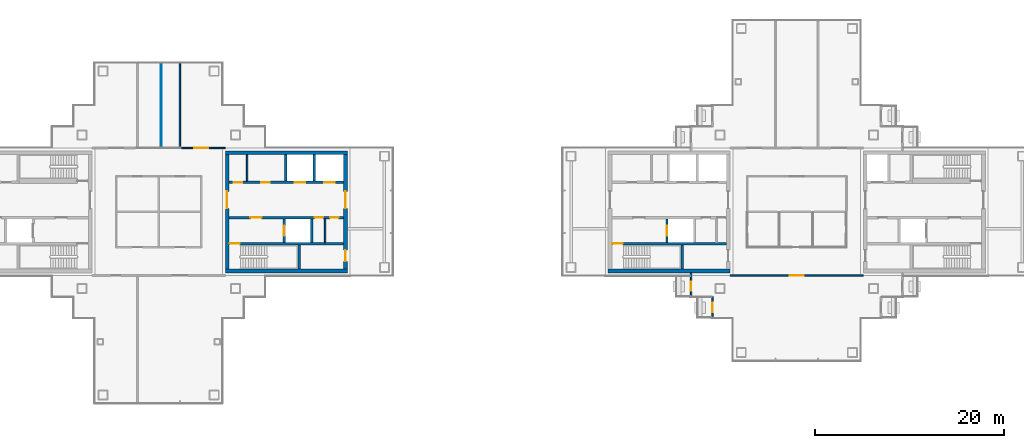
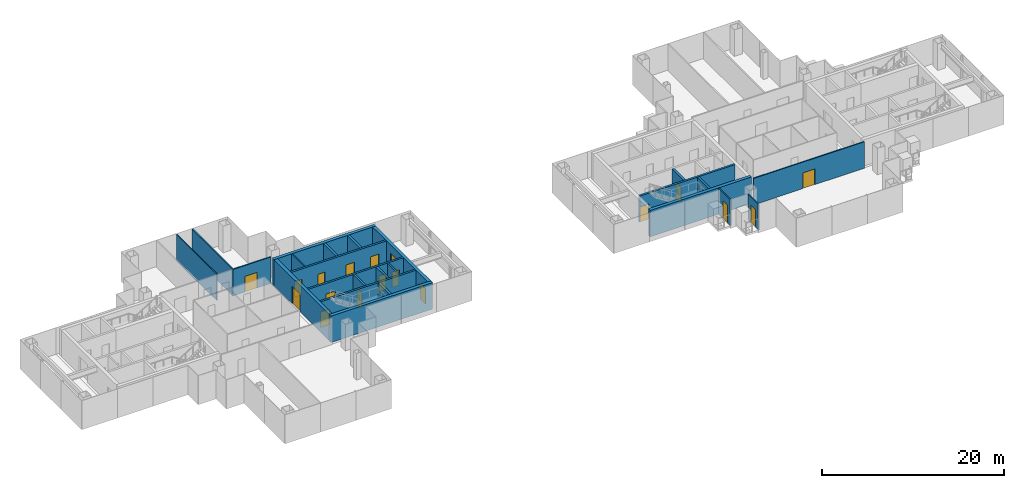
# One storey, part 10 of 16: 24 walls, 18 doors, 18 openings.
"""IFC4 building model written with IfcOpenShell, lengths in metres."""

from ifc_helpers import new_model, si_unit, direction, frame, frame_2d, origin, place, context, subcontext, project, spatial, rectangle, extrude, material, layer, layer_set, type_object, element, fill, save


model = new_model("IFC4")

# Units and contexts
model_context = context("Model", 3, precision=1e-05, world=origin(), true_north=direction((0.0, 1.0)))
body_context = subcontext(model_context, "Body", "Model", "MODEL_VIEW")
ifc_project = project(units=[si_unit("LENGTHUNIT", "METRE"), si_unit("AREAUNIT", "SQUARE_METRE"), si_unit("VOLUMEUNIT", "CUBIC_METRE"), si_unit("PLANEANGLEUNIT", "RADIAN"), si_unit("MASSUNIT", "GRAM", prefix="KILO")], contexts=[model_context])

# Site, building, storey
site_placement = place(None, origin())
site = spatial("IfcSite", under=ifc_project, at=site_placement, CompositionType="ELEMENT")
building_placement = place(site_placement, origin())
building = spatial("IfcBuilding", under=site, at=building_placement, Name="Shamsa Quay Exchange Towers", CompositionType="ELEMENT")
storey_placement = place(building_placement, frame((0.0, 0.0, 190.5)))
storey = spatial("IfcBuildingStorey", under=building, at=storey_placement, Name="L45", CompositionType="ELEMENT", Elevation=190.5)

# Wall, opening, door
ifc_material_1 = material(Name="Aluminium EN AW-6063 T6, black anodised, with black enamelled glass infill", Category="aluminium")
ifc_layer_1 = layer(ifc_material_1, 0.14990234375)
ifc_layer_set_1 = layer_set([ifc_layer_1], Name="BALCONY DOOR BAY WALL 150")
wall_type_1 = type_object("IfcWallType", Name="BALCONY DOOR BAY WALL 150", PredefinedType="SOLIDWALL", material=ifc_layer_set_1)
wall_1_placement = place(storey_placement, frame((22.574951171875, -9.0, 0.0), z_axis=(0.0, 0.0, 1.0), x_axis=(0.0, 1.0, 0.0)))
wall_1 = element("IfcWall", 1, at=wall_1_placement, inside=storey, type_object=wall_type_1, Name="Door bay T2-PKWN L45", PredefinedType="SOLIDWALL", context=body_context, shape_type="SweptSolid", body=[
    extrude(rectangle(XDim=2.556884765625, YDim=0.14990234375, at=frame_2d((1.2783203125, 0.0))), origin(), (0.0, 0.0, 1.0), 3.449951171875),
])
opening_1_placement = place(wall_1_placement, frame((0.625, 0.0, 0.0)))
opening_1 = element("IfcOpeningElement", 2, at=opening_1_placement, cuts=wall_1, Name="Opening XD293", PredefinedType="OPENING", context=body_context, shape_type="SweptSolid", body=[
    extrude(rectangle(XDim=1.0, YDim=2.39990234375, at=frame_2d((0.5, 1.199951171875))), frame((0.0, 0.0849609375, 0.0), z_axis=(0.0, -1.0, 0.0), x_axis=(1.0, 0.0, 0.0)), (0.0, 0.0, 1.0), 0.169921875),
])
ifc_material_2 = material(Name="Aluminium EN AW-6063 T6, black anodised, with laminated glass leaf", Category="aluminium")
door_type_1 = type_object("IfcDoorType", Name="BALCONY DOOR 1000x2400", OperationType="SINGLE_SWING_LEFT", PredefinedType="DOOR", material=ifc_material_2)
door_1_placement = place(opening_1_placement, origin())
door_1 = element("IfcDoor", 3, at=door_1_placement, inside=storey, type_object=door_type_1, Name="Balcony door T2-PKWN L45", OperationType="SINGLE_SWING_LEFT", OverallHeight=2.39990234375, OverallWidth=1.0, PredefinedType="DOOR", context=body_context, shape_type="SweptSolid", body=[
    extrude(rectangle(XDim=1.0, YDim=2.39990234375, at=frame_2d((0.5, 1.199951171875))), frame((0.0, 0.02490234375, 0.0), z_axis=(0.0, -1.0, 0.0), x_axis=(1.0, 0.0, 0.0)), (0.0, 0.0, 1.0), 0.050048828125),
])
fill(opening_1, door_1)

wall_2_placement = place(storey_placement, frame((24.824951171875, -11.25, 0.0), z_axis=(0.0, 0.0, 1.0), x_axis=(0.0, 1.0, 0.0)))
wall_2 = element("IfcWall", 4, at=wall_2_placement, inside=storey, type_object=wall_type_1, Name="Door bay T2-PKWN L45", PredefinedType="SOLIDWALL", context=body_context, shape_type="SweptSolid", body=[
    extrude(rectangle(XDim=2.25, YDim=0.14990234375, at=frame_2d((1.125, 0.0))), origin(), (0.0, 0.0, 1.0), 3.449951171875),
])
opening_2_placement = place(wall_2_placement, frame((0.625, 0.0, 0.0)))
opening_2 = element("IfcOpeningElement", 5, at=opening_2_placement, cuts=wall_2, Name="Opening XD294", PredefinedType="OPENING", context=body_context, shape_type="SweptSolid", body=[
    extrude(rectangle(XDim=1.0, YDim=2.39990234375, at=frame_2d((0.5, 1.199951171875))), frame((0.0, 0.0849609375, 0.0), z_axis=(0.0, -1.0, 0.0), x_axis=(1.0, 0.0, 0.0)), (0.0, 0.0, 1.0), 0.169921875),
])
door_2_placement = place(opening_2_placement, origin())
door_2 = element("IfcDoor", 6, at=door_2_placement, inside=storey, type_object=door_type_1, Name="Balcony door T2-PKWN L45", OperationType="SINGLE_SWING_RIGHT", OverallHeight=2.39990234375, OverallWidth=1.0, PredefinedType="DOOR", context=body_context, shape_type="SweptSolid", body=[
    extrude(rectangle(XDim=1.0, YDim=2.39990234375, at=frame_2d((0.5, 1.199951171875))), frame((0.0, 0.02490234375, 0.0), z_axis=(0.0, -1.0, 0.0), x_axis=(1.0, 0.0, 0.0)), (0.0, 0.0, 1.0), 0.050048828125),
])
fill(opening_2, door_2)

# Walls
ifc_material_3 = material(Name="Concrete C60/75", Category="concrete")
ifc_layer_2 = layer(ifc_material_3, 0.39990234375)
ifc_layer_set_2 = layer_set([ifc_layer_2], Name="CORE WALL 400 C60/75")
wall_type_2 = type_object("IfcWallType", Name="CORE WALL 400 C60/75", PredefinedType="SHEAR", material=ifc_layer_set_2)
for number, where, name in (
    (7, (-26.699951171875, -6.25, 0.0), "Core wall T1A-R20-PS"),
    (8, (-26.699951171875, 6.25, 0.0), "Core wall T1A-R20-PN"),
):
    element("IfcWall", number, at=place(storey_placement, frame(where)), inside=storey, type_object=wall_type_2, Name=name, PredefinedType="SHEAR", context=body_context, shape_type="SweptSolid", body=[
        extrude(rectangle(XDim=12.89990234375, YDim=0.39990234375, at=frame_2d((6.449951171875, 0.0))), origin(), (0.0, 0.0, 1.0), 3.550048828125),
    ])

# Wall, opening, door
wall_3_placement = place(storey_placement, frame((-26.5, 6.050048828125, 0.0), z_axis=(0.0, 0.0, 1.0), x_axis=(0.0, -1.0, 0.0)))
wall_3 = element("IfcWall", 9, at=wall_3_placement, inside=storey, type_object=wall_type_2, Name="Core wall T1A-R20-PF", PredefinedType="SHEAR", context=body_context, shape_type="SweptSolid", body=[
    extrude(rectangle(XDim=12.10009765625, YDim=0.39990234375, at=frame_2d((6.050048828125, 0.0))), origin(), (0.0, 0.0, 1.0), 3.550048828125),
])
opening_3_placement = place(wall_3_placement, frame((3.89990234375, 0.0, 0.0)))
opening_3 = element("IfcOpeningElement", 10, at=opening_3_placement, cuts=wall_3, Name="Opening T1A-R20-LBD01", PredefinedType="OPENING", context=body_context, shape_type="SweptSolid", body=[
    extrude(rectangle(XDim=1.800048828125, YDim=2.39990234375, at=frame_2d((0.89990234375, 1.199951171875))), frame((0.0, 0.2099609375, 0.0), z_axis=(0.0, -1.0, 0.0), x_axis=(1.0, 0.0, 0.0)), (0.0, 0.0, 1.0), 0.419921875),
])
ifc_material_4 = material(Name="Steel, fire rated", Category="steel")
door_type_2 = type_object("IfcDoorType", Name="LIFT LOBBY DOOR PAIR 1800", OperationType="DOUBLE_DOOR_SINGLE_SWING", PredefinedType="DOOR", material=ifc_material_4)
door_3_placement = place(opening_3_placement, origin())
door_3 = element("IfcDoor", 11, at=door_3_placement, inside=storey, type_object=door_type_2, Name="T1A-R20-LBD01", OperationType="DOUBLE_DOOR_SINGLE_SWING", OverallHeight=2.39990234375, OverallWidth=1.800048828125, PredefinedType="DOOR", context=body_context, shape_type="SweptSolid", body=[
    extrude(rectangle(XDim=1.800048828125, YDim=2.39990234375, at=frame_2d((0.89990234375, 1.199951171875))), frame((0.0, 0.02490234375, 0.0), z_axis=(0.0, -1.0, 0.0), x_axis=(1.0, 0.0, 0.0)), (0.0, 0.0, 1.0), 0.050048828125),
])
fill(opening_3, door_3)

# Wall, openings, doors
wall_4_placement = place(storey_placement, frame((-14.0, 6.050048828125, 0.0), z_axis=(0.0, 0.0, 1.0), x_axis=(0.0, -1.0, 0.0)))
wall_4 = element("IfcWall", 12, at=wall_4_placement, inside=storey, type_object=wall_type_2, Name="Core wall T1A-R20-PB", PredefinedType="SHEAR", context=body_context, shape_type="SweptSolid", body=[
    extrude(rectangle(XDim=12.10009765625, YDim=0.39990234375, at=frame_2d((6.050048828125, 0.0))), origin(), (0.0, 0.0, 1.0), 3.550048828125),
])
opening_4_placement = place(wall_4_placement, frame((10.10009765625, 0.0, 0.0)))
opening_4 = element("IfcOpeningElement", 13, at=opening_4_placement, cuts=wall_4, Name="Opening T1A-R20-RD02", PredefinedType="OPENING", context=body_context, shape_type="SweptSolid", body=[
    extrude(rectangle(XDim=1.199951171875, YDim=2.10009765625, at=frame_2d((0.60009765625, 1.050048828125))), frame((0.0, 0.2099609375, 0.0), z_axis=(0.0, -1.0, 0.0), x_axis=(1.0, 0.0, 0.0)), (0.0, 0.0, 1.0), 0.419921875),
])
opening_5_placement = place(wall_4_placement, frame((3.89990234375, 0.0, 0.0)))
opening_5 = element("IfcOpeningElement", 14, at=opening_5_placement, cuts=wall_4, Name="Opening T1A-R20-LBD03", PredefinedType="OPENING", context=body_context, shape_type="SweptSolid", body=[
    extrude(rectangle(XDim=1.800048828125, YDim=2.39990234375, at=frame_2d((0.89990234375, 1.199951171875))), frame((0.0, 0.2099609375, 0.0), z_axis=(0.0, -1.0, 0.0), x_axis=(1.0, 0.0, 0.0)), (0.0, 0.0, 1.0), 0.419921875),
])
door_4_placement = place(opening_5_placement, origin())
door_4 = element("IfcDoor", 15, at=door_4_placement, inside=storey, type_object=door_type_2, Name="T1A-R20-LBD03", OperationType="DOUBLE_DOOR_SINGLE_SWING", OverallHeight=2.39990234375, OverallWidth=1.800048828125, PredefinedType="DOOR", context=body_context, shape_type="SweptSolid", body=[
    extrude(rectangle(XDim=1.800048828125, YDim=2.39990234375, at=frame_2d((0.89990234375, 1.199951171875))), frame((0.0, 0.02490234375, 0.0), z_axis=(0.0, -1.0, 0.0), x_axis=(1.0, 0.0, 0.0)), (0.0, 0.0, 1.0), 0.050048828125),
])
fill(opening_5, door_4)
door_type_3 = type_object("IfcDoorType", Name="RISER ACCESS DOOR 1200", OperationType="SINGLE_SWING_LEFT", PredefinedType="DOOR", material=ifc_material_4)
door_5_placement = place(opening_4_placement, origin())
door_5 = element("IfcDoor", 16, at=door_5_placement, inside=storey, type_object=door_type_3, Name="T1A-R20-RD02", OperationType="SINGLE_SWING_RIGHT", OverallHeight=2.10009765625, OverallWidth=1.199951171875, PredefinedType="DOOR", context=body_context, shape_type="SweptSolid", body=[
    extrude(rectangle(XDim=1.199951171875, YDim=2.10009765625, at=frame_2d((0.60009765625, 1.050048828125))), frame((0.0, 0.02490234375, 0.0), z_axis=(0.0, -1.0, 0.0), x_axis=(1.0, 0.0, 0.0)), (0.0, 0.0, 1.0), 0.050048828125),
])
fill(opening_4, door_5)

# Walls
wall_5_placement = place(storey_placement, frame((13.800048828125, -6.25, 0.0)))
element("IfcWall", 17, at=wall_5_placement, inside=storey, type_object=wall_type_2, Name="Core wall T2A-R20-PS", PredefinedType="SHEAR", context=body_context, shape_type="SweptSolid", body=[
    extrude(rectangle(XDim=12.89990234375, YDim=0.39990234375, at=frame_2d((6.449951171875, 0.0))), origin(), (0.0, 0.0, 1.0), 3.550048828125),
])
ifc_material_5 = material(Name="Gypsum board on steel studs, EI 60", Category="steel")
ifc_layer_3 = layer(ifc_material_5, 0.14990234375)
ifc_layer_set_3 = layer_set([ifc_layer_3], Name="FIRE PARTITION 150")
wall_type_3 = type_object("IfcWallType", Name="FIRE PARTITION 150", PredefinedType="PARTITIONING", material=ifc_layer_set_3)
wall_6_placement = place(storey_placement, frame((-16.14990234375, -3.25, 0.0), z_axis=(0.0, 0.0, 1.0), x_axis=(0.0, 1.0, 0.0)))
element("IfcWall", 18, at=wall_6_placement, inside=storey, type_object=wall_type_3, Name="Partition T1A-R20-EC0", PredefinedType="PARTITIONING", context=body_context, shape_type="SweptSolid", body=[
    extrude(rectangle(XDim=2.5, YDim=0.14990234375, at=frame_2d((1.25, 0.0))), origin(), (0.0, 0.0, 1.0), 3.550048828125),
])
wall_7_placement = place(storey_placement, frame((-24.39990234375, 3.25, 0.0), z_axis=(0.0, 0.0, 1.0), x_axis=(0.0, 1.0, 0.0)))
element("IfcWall", 19, at=wall_7_placement, inside=storey, type_object=wall_type_3, Name="Partition T1A-R20-FC0", PredefinedType="PARTITIONING", context=body_context, shape_type="SweptSolid", body=[
    extrude(rectangle(XDim=2.800048828125, YDim=0.14990234375, at=frame_2d((1.39990234375, 0.0))), origin(), (0.0, 0.0, 1.0), 3.550048828125),
])
ifc_material_6 = material(Name="Gypsum board partition on metal studs")
ifc_layer_4 = layer(ifc_material_6, 0.10009765625)
ifc_layer_set_4 = layer_set([ifc_layer_4], Name="Partition 100 mm NOT RATED")
wall_type_4 = type_object("IfcWallType", Name="Partition 100 mm NOT RATED", PredefinedType="PARTITIONING", material=ifc_layer_set_4)
wall_8_placement = place(storey_placement, frame((-33.5, 6.800048828125, 0.0), z_axis=(0.0, 0.0, 1.0), x_axis=(0.0, 1.0, 0.0)))
element("IfcWall", 20, at=wall_8_placement, inside=storey, type_object=wall_type_4, Name="Partition T1-R20-W13", PredefinedType="PARTITIONING", context=body_context, shape_type="SweptSolid", body=[
    extrude(rectangle(XDim=8.85498046875, YDim=0.10009765625, at=frame_2d((4.427490234375, 0.0))), origin(), (0.0, 0.0, 1.0), 3.550048828125),
])

# Wall, opening, door
ifc_layer_5 = layer(ifc_material_6, 0.14990234375)
ifc_layer_set_5 = layer_set([ifc_layer_5], Name="Partition 150 mm EI 60")
wall_type_5 = type_object("IfcWallType", Name="Partition 150 mm EI 60", PredefinedType="PARTITIONING", material=ifc_layer_set_5)
wall_9_placement = place(storey_placement, frame((-31.574951171875, 6.75, 0.0)))
wall_9 = element("IfcWall", 21, at=wall_9_placement, inside=storey, type_object=wall_type_5, Name="Partition T1-R20-W06", PredefinedType="PARTITIONING", context=body_context, shape_type="SweptSolid", body=[
    extrude(rectangle(XDim=4.875, YDim=0.14990234375, at=frame_2d((2.4375, 0.0))), origin(), (0.0, 0.0, 1.0), 3.550048828125),
])
opening_6_placement = place(wall_9_placement, frame((1.574951171875, 0.0, 0.0)))
opening_6 = element("IfcOpeningElement", 22, at=opening_6_placement, cuts=wall_9, Name="Opening T1-R20-D06", PredefinedType="OPENING", context=body_context, shape_type="SweptSolid", body=[
    extrude(rectangle(XDim=1.5, YDim=2.10009765625, at=frame_2d((0.75, 1.050048828125))), frame((0.0, 0.0849609375, 0.0), z_axis=(0.0, -1.0, 0.0), x_axis=(1.0, 0.0, 0.0)), (0.0, 0.0, 1.0), 0.169921875),
])
ifc_material_7 = material(Name="Timber door leaf in a metal frame", Category="wood")
door_type_4 = type_object("IfcDoorType", Name="Door 1500x2100 FD30S pair", OperationType="NOTDEFINED", PredefinedType="DOOR", material=ifc_material_7)
door_6_placement = place(opening_6_placement, origin())
door_6 = element("IfcDoor", 23, at=door_6_placement, inside=storey, type_object=door_type_4, Name="Door T1-R20-D06", OperationType="DOUBLE_DOOR_SINGLE_SWING", OverallHeight=2.10009765625, OverallWidth=1.5, PredefinedType="DOOR", context=body_context, shape_type="SweptSolid", body=[
    extrude(rectangle(XDim=1.5, YDim=2.10009765625, at=frame_2d((0.75, 1.050048828125))), frame((0.0, 0.02490234375, 0.0), z_axis=(0.0, -1.0, 0.0), x_axis=(1.0, 0.0, 0.0)), (0.0, 0.0, 1.0), 0.050048828125),
])
fill(opening_6, door_6)

# Wall
wall_10_placement = place(storey_placement, frame((-31.5, 6.824951171875, 0.0), z_axis=(0.0, 0.0, 1.0), x_axis=(0.0, 1.0, 0.0)))
element("IfcWall", 24, at=wall_10_placement, inside=storey, type_object=wall_type_5, Name="Partition T1-R20-W14", PredefinedType="PARTITIONING", context=body_context, shape_type="SweptSolid", body=[
    extrude(rectangle(XDim=8.830078125, YDim=0.14990234375, at=frame_2d((4.4150390625, 0.0))), origin(), (0.0, 0.0, 1.0), 3.550048828125),
])

# Wall, opening, door
wall_11_placement = place(storey_placement, frame((40.800048828125, -6.75, 0.0), z_axis=(0.0, 0.0, 1.0), x_axis=(-1.0, 0.0, 0.0)))
wall_11 = element("IfcWall", 25, at=wall_11_placement, inside=storey, type_object=wall_type_5, Name="Partition T2-R20-W08", PredefinedType="PARTITIONING", context=body_context, shape_type="SweptSolid", body=[
    extrude(rectangle(XDim=14.10009765625, YDim=0.14990234375, at=frame_2d((7.050048828125, 0.0))), origin(), (0.0, 0.0, 1.0), 3.550048828125),
])
opening_7_placement = place(wall_11_placement, frame((6.300048828125, 0.0, 0.0)))
opening_7 = element("IfcOpeningElement", 26, at=opening_7_placement, cuts=wall_11, Name="Opening T2-R20-D08", PredefinedType="OPENING", context=body_context, shape_type="SweptSolid", body=[
    extrude(rectangle(XDim=1.5, YDim=2.10009765625, at=frame_2d((0.75, 1.050048828125))), frame((0.0, 0.0849609375, 0.0), z_axis=(0.0, -1.0, 0.0), x_axis=(1.0, 0.0, 0.0)), (0.0, 0.0, 1.0), 0.169921875),
])
door_7_placement = place(opening_7_placement, origin())
door_7 = element("IfcDoor", 27, at=door_7_placement, inside=storey, type_object=door_type_4, Name="Door T2-R20-D08", OperationType="DOUBLE_DOOR_SINGLE_SWING", OverallHeight=2.10009765625, OverallWidth=1.5, PredefinedType="DOOR", context=body_context, shape_type="SweptSolid", body=[
    extrude(rectangle(XDim=1.5, YDim=2.10009765625, at=frame_2d((0.75, 1.050048828125))), frame((0.0, 0.02490234375, 0.0), z_axis=(0.0, -1.0, 0.0), x_axis=(1.0, 0.0, 0.0)), (0.0, 0.0, 1.0), 0.050048828125),
])
fill(opening_7, door_7)

ifc_material_8 = material(Name="Concrete C50/60", Category="concrete")
ifc_layer_6 = layer(ifc_material_8, 0.25)
ifc_layer_set_6 = layer_set([ifc_layer_6], Name="SHAFT WALL 250 C50/60")
wall_type_6 = type_object("IfcWallType", Name="SHAFT WALL 250 C50/60", PredefinedType="SHEAR", material=ifc_layer_set_6)
wall_12_placement = place(storey_placement, frame((-14.199951171875, -3.375, 0.0), z_axis=(0.0, 0.0, 1.0), x_axis=(-1.0, 0.0, 0.0)))
wall_12 = element("IfcWall", 28, at=wall_12_placement, inside=storey, type_object=wall_type_6, Name="Shaft wall T1A-R20-STL", PredefinedType="SHEAR", context=body_context, shape_type="SweptSolid", body=[
    extrude(rectangle(XDim=12.10009765625, YDim=0.25, at=frame_2d((6.050048828125, 0.0))), origin(), (0.0, 0.0, 1.0), 3.550048828125),
])
opening_8_placement = place(wall_12_placement, frame((10.949951171875, 0.0, 0.0)))
opening_8 = element("IfcOpeningElement", 29, at=opening_8_placement, cuts=wall_12, Name="Opening T1A-R20-SD04", PredefinedType="OPENING", context=body_context, shape_type="SweptSolid", body=[
    extrude(rectangle(XDim=1.10009765625, YDim=2.10009765625, at=frame_2d((0.550048828125, 1.050048828125))), frame((0.0, 0.135009765625, 0.0), z_axis=(0.0, -1.0, 0.0), x_axis=(1.0, 0.0, 0.0)), (0.0, 0.0, 1.0), 0.27001953125),
])
door_type_5 = type_object("IfcDoorType", Name="STAIR DOOR 1100", OperationType="SINGLE_SWING_LEFT", PredefinedType="DOOR", material=ifc_material_4)
door_8_placement = place(opening_8_placement, origin())
door_8 = element("IfcDoor", 30, at=door_8_placement, inside=storey, type_object=door_type_5, Name="T1A-R20-SD04", OperationType="SINGLE_SWING_RIGHT", OverallHeight=2.10009765625, OverallWidth=1.10009765625, PredefinedType="DOOR", context=body_context, shape_type="SweptSolid", body=[
    extrude(rectangle(XDim=1.10009765625, YDim=2.10009765625, at=frame_2d((0.550048828125, 1.050048828125))), frame((0.0, 0.02490234375, 0.0), z_axis=(0.0, -1.0, 0.0), x_axis=(1.0, 0.0, 0.0)), (0.0, 0.0, 1.0), 0.050048828125),
])
fill(opening_8, door_8)

# Wall
wall_13_placement = place(storey_placement, frame((-18.875, -6.050048828125, 0.0), z_axis=(0.0, 0.0, 1.0), x_axis=(0.0, 1.0, 0.0)))
element("IfcWall", 31, at=wall_13_placement, inside=storey, type_object=wall_type_6, Name="Shaft wall T1A-R20-STF", PredefinedType="SHEAR", context=body_context, shape_type="SweptSolid", body=[
    extrude(rectangle(XDim=2.550048828125, YDim=0.25, at=frame_2d((1.27490234375, 0.0))), origin(), (0.0, 0.0, 1.0), 3.550048828125),
])

# Wall, openings, doors
wall_14_placement = place(storey_placement, frame((-14.199951171875, -0.625, 0.0), z_axis=(0.0, 0.0, 1.0), x_axis=(-1.0, 0.0, 0.0)))
wall_14 = element("IfcWall", 32, at=wall_14_placement, inside=storey, type_object=wall_type_6, Name="Shaft wall T1A-R20-B", PredefinedType="SHEAR", context=body_context, shape_type="SweptSolid", body=[
    extrude(rectangle(XDim=12.10009765625, YDim=0.25, at=frame_2d((6.050048828125, 0.0))), origin(), (0.0, 0.0, 1.0), 3.550048828125),
])
opening_9_placement = place(wall_14_placement, frame((8.64990234375, 0.0, 0.0)))
opening_9 = element("IfcOpeningElement", 33, at=opening_9_placement, cuts=wall_14, Name="Opening T1A-R20-FD05", PredefinedType="OPENING", context=body_context, shape_type="SweptSolid", body=[
    extrude(rectangle(XDim=1.199951171875, YDim=2.10009765625, at=frame_2d((0.60009765625, 1.050048828125))), frame((0.0, 0.135009765625, 0.0), z_axis=(0.0, -1.0, 0.0), x_axis=(1.0, 0.0, 0.0)), (0.0, 0.0, 1.0), 0.27001953125),
])
opening_10_placement = place(wall_14_placement, frame((2.14990234375, 0.0, 0.0)))
opening_10 = element("IfcOpeningElement", 34, at=opening_10_placement, cuts=wall_14, Name="Opening T1A-R20-SV06", PredefinedType="OPENING", context=body_context, shape_type="SweptSolid", body=[
    extrude(rectangle(XDim=0.89990234375, YDim=2.10009765625, at=frame_2d((0.449951171875, 1.050048828125))), frame((0.0, 0.135009765625, 0.0), z_axis=(0.0, -1.0, 0.0), x_axis=(1.0, 0.0, 0.0)), (0.0, 0.0, 1.0), 0.27001953125),
])
opening_11_placement = place(wall_14_placement, frame((0.52490234375, 0.0, 0.0)))
opening_11 = element("IfcOpeningElement", 35, at=opening_11_placement, cuts=wall_14, Name="Opening T1A-R20-SV07", PredefinedType="OPENING", context=body_context, shape_type="SweptSolid", body=[
    extrude(rectangle(XDim=0.89990234375, YDim=2.10009765625, at=frame_2d((0.449951171875, 1.050048828125))), frame((0.0, 0.135009765625, 0.0), z_axis=(0.0, -1.0, 0.0), x_axis=(1.0, 0.0, 0.0)), (0.0, 0.0, 1.0), 0.27001953125),
])
door_type_6 = type_object("IfcDoorType", Name="FIRE SERVICE LOBBY DOOR 1200", OperationType="SINGLE_SWING_LEFT", PredefinedType="DOOR", material=ifc_material_4)
door_9_placement = place(opening_9_placement, origin())
door_9 = element("IfcDoor", 36, at=door_9_placement, inside=storey, type_object=door_type_6, Name="T1A-R20-FD05", OperationType="SINGLE_SWING_RIGHT", OverallHeight=2.10009765625, OverallWidth=1.199951171875, PredefinedType="DOOR", context=body_context, shape_type="SweptSolid", body=[
    extrude(rectangle(XDim=1.199951171875, YDim=2.10009765625, at=frame_2d((0.60009765625, 1.050048828125))), frame((0.0, 0.02490234375, 0.0), z_axis=(0.0, -1.0, 0.0), x_axis=(1.0, 0.0, 0.0)), (0.0, 0.0, 1.0), 0.050048828125),
])
fill(opening_9, door_9)
door_type_7 = type_object("IfcDoorType", Name="SERVICE ROOM DOOR 900", OperationType="SINGLE_SWING_LEFT", PredefinedType="DOOR", material=ifc_material_4)
door_10_placement = place(opening_10_placement, origin())
door_10 = element("IfcDoor", 37, at=door_10_placement, inside=storey, type_object=door_type_7, Name="T1A-R20-SV06", OperationType="SINGLE_SWING_LEFT", OverallHeight=2.10009765625, OverallWidth=0.89990234375, PredefinedType="DOOR", context=body_context, shape_type="SweptSolid", body=[
    extrude(rectangle(XDim=0.89990234375, YDim=2.10009765625, at=frame_2d((0.449951171875, 1.050048828125))), frame((0.0, 0.02490234375, 0.0), z_axis=(0.0, -1.0, 0.0), x_axis=(1.0, 0.0, 0.0)), (0.0, 0.0, 1.0), 0.050048828125),
])
fill(opening_10, door_10)
door_11_placement = place(opening_11_placement, origin())
door_11 = element("IfcDoor", 38, at=door_11_placement, inside=storey, type_object=door_type_7, Name="T1A-R20-SV07", OperationType="SINGLE_SWING_LEFT", OverallHeight=2.10009765625, OverallWidth=0.89990234375, PredefinedType="DOOR", context=body_context, shape_type="SweptSolid", body=[
    extrude(rectangle(XDim=0.89990234375, YDim=2.10009765625, at=frame_2d((0.449951171875, 1.050048828125))), frame((0.0, 0.02490234375, 0.0), z_axis=(0.0, -1.0, 0.0), x_axis=(1.0, 0.0, 0.0)), (0.0, 0.0, 1.0), 0.050048828125),
])
fill(opening_11, door_11)

# Wall, opening, door
wall_15_placement = place(storey_placement, frame((-20.47509765625, -3.25, 0.0), z_axis=(0.0, 0.0, 1.0), x_axis=(0.0, 1.0, 0.0)))
wall_15 = element("IfcWall", 39, at=wall_15_placement, inside=storey, type_object=wall_type_6, Name="Shaft wall T1A-R20-FFF", PredefinedType="SHEAR", context=body_context, shape_type="SweptSolid", body=[
    extrude(rectangle(XDim=2.5, YDim=0.25, at=frame_2d((1.25, 0.0))), origin(), (0.0, 0.0, 1.0), 3.550048828125),
])
opening_12_placement = place(wall_15_placement, frame((0.699951171875, 0.0, 0.0)))
opening_12 = element("IfcOpeningElement", 40, at=opening_12_placement, cuts=wall_15, Name="Opening T1A-R20-LDF08", PredefinedType="OPENING", context=body_context, shape_type="SweptSolid", body=[
    extrude(rectangle(XDim=1.10009765625, YDim=2.10009765625, at=frame_2d((0.550048828125, 1.050048828125))), frame((0.0, 0.135009765625, 0.0), z_axis=(0.0, -1.0, 0.0), x_axis=(1.0, 0.0, 0.0)), (0.0, 0.0, 1.0), 0.27001953125),
])
door_type_8 = type_object("IfcDoorType", Name="FIRE SERVICE LANDING DOOR 1100", OperationType="SLIDING_TO_LEFT", PredefinedType="DOOR", material=ifc_material_4)
door_12_placement = place(opening_12_placement, origin())
door_12 = element("IfcDoor", 41, at=door_12_placement, inside=storey, type_object=door_type_8, Name="T1A-R20-LDF08", OperationType="SLIDING_TO_LEFT", OverallHeight=2.10009765625, OverallWidth=1.10009765625, PredefinedType="DOOR", context=body_context, shape_type="SweptSolid", body=[
    extrude(rectangle(XDim=1.10009765625, YDim=2.10009765625, at=frame_2d((0.550048828125, 1.050048828125))), frame((0.0, 0.02490234375, 0.0), z_axis=(0.0, -1.0, 0.0), x_axis=(1.0, 0.0, 0.0)), (0.0, 0.0, 1.0), 0.050048828125),
])
fill(opening_12, door_12)

# Wall
wall_16_placement = place(storey_placement, frame((-17.574951171875, -3.25, 0.0), z_axis=(0.0, 0.0, 1.0), x_axis=(0.0, 1.0, 0.0)))
element("IfcWall", 42, at=wall_16_placement, inside=storey, type_object=wall_type_6, Name="Shaft wall T1A-R20-FFB", PredefinedType="SHEAR", context=body_context, shape_type="SweptSolid", body=[
    extrude(rectangle(XDim=2.5, YDim=0.25, at=frame_2d((1.25, 0.0))), origin(), (0.0, 0.0, 1.0), 3.550048828125),
])

# Wall, openings, doors
wall_17_placement = place(storey_placement, frame((-26.300048828125, 3.125, 0.0)))
wall_17 = element("IfcWall", 43, at=wall_17_placement, inside=storey, type_object=wall_type_6, Name="Shaft wall T1A-R20-N", PredefinedType="SHEAR", context=body_context, shape_type="SweptSolid", body=[
    extrude(rectangle(XDim=12.10009765625, YDim=0.25, at=frame_2d((6.050048828125, 0.0))), origin(), (0.0, 0.0, 1.0), 3.550048828125),
])
opening_13_placement = place(wall_17_placement, frame((6.949951171875, 0.0, 0.0)))
opening_13 = element("IfcOpeningElement", 44, at=opening_13_placement, cuts=wall_17, Name="Opening T1A-R20-LD09", PredefinedType="OPENING", context=body_context, shape_type="SweptSolid", body=[
    extrude(rectangle(XDim=1.10009765625, YDim=2.10009765625, at=frame_2d((0.550048828125, 1.050048828125))), frame((0.0, 0.135009765625, 0.0), z_axis=(0.0, -1.0, 0.0), x_axis=(1.0, 0.0, 0.0)), (0.0, 0.0, 1.0), 0.27001953125),
])
opening_14_placement = place(wall_17_placement, frame((10.074951171875, 0.0, 0.0)))
opening_14 = element("IfcOpeningElement", 45, at=opening_14_placement, cuts=wall_17, Name="Opening T1A-R20-LD10", PredefinedType="OPENING", context=body_context, shape_type="SweptSolid", body=[
    extrude(rectangle(XDim=1.10009765625, YDim=2.10009765625, at=frame_2d((0.550048828125, 1.050048828125))), frame((0.0, 0.135009765625, 0.0), z_axis=(0.0, -1.0, 0.0), x_axis=(1.0, 0.0, 0.0)), (0.0, 0.0, 1.0), 0.27001953125),
])
opening_15_placement = place(wall_17_placement, frame((0.5, 0.0, 0.0)))
opening_15 = element("IfcOpeningElement", 46, at=opening_15_placement, cuts=wall_17, Name="Opening T1A-R20-SV11", PredefinedType="OPENING", context=body_context, shape_type="SweptSolid", body=[
    extrude(rectangle(XDim=0.89990234375, YDim=2.10009765625, at=frame_2d((0.449951171875, 1.050048828125))), frame((0.0, 0.135009765625, 0.0), z_axis=(0.0, -1.0, 0.0), x_axis=(1.0, 0.0, 0.0)), (0.0, 0.0, 1.0), 0.27001953125),
])
opening_16_placement = place(wall_17_placement, frame((3.425048828125, 0.0, 0.0)))
opening_16 = element("IfcOpeningElement", 47, at=opening_16_placement, cuts=wall_17, Name="Opening T1A-R20-SV12", PredefinedType="OPENING", context=body_context, shape_type="SweptSolid", body=[
    extrude(rectangle(XDim=0.89990234375, YDim=2.10009765625, at=frame_2d((0.449951171875, 1.050048828125))), frame((0.0, 0.135009765625, 0.0), z_axis=(0.0, -1.0, 0.0), x_axis=(1.0, 0.0, 0.0)), (0.0, 0.0, 1.0), 0.27001953125),
])
door_type_9 = type_object("IfcDoorType", Name="LANDING DOOR 1100", OperationType="SLIDING_TO_LEFT", PredefinedType="DOOR", material=ifc_material_4)
door_13_placement = place(opening_13_placement, origin())
door_13 = element("IfcDoor", 48, at=door_13_placement, inside=storey, type_object=door_type_9, Name="T1A-R20-LD09", OperationType="SLIDING_TO_LEFT", OverallHeight=2.10009765625, OverallWidth=1.10009765625, PredefinedType="DOOR", context=body_context, shape_type="SweptSolid", body=[
    extrude(rectangle(XDim=1.10009765625, YDim=2.10009765625, at=frame_2d((0.550048828125, 1.050048828125))), frame((0.0, 0.02490234375, 0.0), z_axis=(0.0, -1.0, 0.0), x_axis=(1.0, 0.0, 0.0)), (0.0, 0.0, 1.0), 0.050048828125),
])
fill(opening_13, door_13)
door_14_placement = place(opening_14_placement, origin())
door_14 = element("IfcDoor", 49, at=door_14_placement, inside=storey, type_object=door_type_9, Name="T1A-R20-LD10", OperationType="SLIDING_TO_LEFT", OverallHeight=2.10009765625, OverallWidth=1.10009765625, PredefinedType="DOOR", context=body_context, shape_type="SweptSolid", body=[
    extrude(rectangle(XDim=1.10009765625, YDim=2.10009765625, at=frame_2d((0.550048828125, 1.050048828125))), frame((0.0, 0.02490234375, 0.0), z_axis=(0.0, -1.0, 0.0), x_axis=(1.0, 0.0, 0.0)), (0.0, 0.0, 1.0), 0.050048828125),
])
fill(opening_14, door_14)
door_15_placement = place(opening_15_placement, origin())
door_15 = element("IfcDoor", 50, at=door_15_placement, inside=storey, type_object=door_type_7, Name="T1A-R20-SV11", OperationType="SINGLE_SWING_LEFT", OverallHeight=2.10009765625, OverallWidth=0.89990234375, PredefinedType="DOOR", context=body_context, shape_type="SweptSolid", body=[
    extrude(rectangle(XDim=0.89990234375, YDim=2.10009765625, at=frame_2d((0.449951171875, 1.050048828125))), frame((0.0, 0.02490234375, 0.0), z_axis=(0.0, -1.0, 0.0), x_axis=(1.0, 0.0, 0.0)), (0.0, 0.0, 1.0), 0.050048828125),
])
fill(opening_15, door_15)
door_16_placement = place(opening_16_placement, origin())
door_16 = element("IfcDoor", 51, at=door_16_placement, inside=storey, type_object=door_type_7, Name="T1A-R20-SV12", OperationType="SINGLE_SWING_LEFT", OverallHeight=2.10009765625, OverallWidth=0.89990234375, PredefinedType="DOOR", context=body_context, shape_type="SweptSolid", body=[
    extrude(rectangle(XDim=0.89990234375, YDim=2.10009765625, at=frame_2d((0.449951171875, 1.050048828125))), frame((0.0, 0.02490234375, 0.0), z_axis=(0.0, -1.0, 0.0), x_axis=(1.0, 0.0, 0.0)), (0.0, 0.0, 1.0), 0.050048828125),
])
fill(opening_16, door_16)

# Walls
for number, where, z_axis, x_axis, name in (
    (52, (-20.324951171875, 3.25, 0.0), (0.0, 0.0, 1.0), (0.0, 1.0, 0.0), "Shaft wall T1A-R20-D1"),
    (53, (-17.27490234375, 3.25, 0.0), (0.0, 0.0, 1.0), (0.0, 1.0, 0.0), "Shaft wall T1A-R20-D2"),
):
    element("IfcWall", number, at=place(storey_placement, frame(where, z_axis=z_axis, x_axis=x_axis)), inside=storey, type_object=wall_type_6, Name=name, PredefinedType="SHEAR", context=body_context, shape_type="SweptSolid", body=[
        extrude(rectangle(XDim=2.800048828125, YDim=0.25, at=frame_2d((1.39990234375, 0.0))), origin(), (0.0, 0.0, 1.0), 3.550048828125),
    ])

# Wall, opening, door
wall_18_placement = place(storey_placement, frame((26.300048828125, -3.375, 0.0), z_axis=(0.0, 0.0, 1.0), x_axis=(-1.0, 0.0, 0.0)))
wall_18 = element("IfcWall", 54, at=wall_18_placement, inside=storey, type_object=wall_type_6, Name="Shaft wall T2A-R20-STL", PredefinedType="SHEAR", context=body_context, shape_type="SweptSolid", body=[
    extrude(rectangle(XDim=12.10009765625, YDim=0.25, at=frame_2d((6.050048828125, 0.0))), origin(), (0.0, 0.0, 1.0), 3.550048828125),
])
opening_17_placement = place(wall_18_placement, frame((10.949951171875, 0.0, 0.0)))
opening_17 = element("IfcOpeningElement", 55, at=opening_17_placement, cuts=wall_18, Name="Opening T2A-R20-SD04", PredefinedType="OPENING", context=body_context, shape_type="SweptSolid", body=[
    extrude(rectangle(XDim=1.10009765625, YDim=2.10009765625, at=frame_2d((0.550048828125, 1.050048828125))), frame((0.0, 0.135009765625, 0.0), z_axis=(0.0, -1.0, 0.0), x_axis=(1.0, 0.0, 0.0)), (0.0, 0.0, 1.0), 0.27001953125),
])
door_17_placement = place(opening_17_placement, origin())
door_17 = element("IfcDoor", 56, at=door_17_placement, inside=storey, type_object=door_type_5, Name="T2A-R20-SD04", OperationType="SINGLE_SWING_RIGHT", OverallHeight=2.10009765625, OverallWidth=1.10009765625, PredefinedType="DOOR", context=body_context, shape_type="SweptSolid", body=[
    extrude(rectangle(XDim=1.10009765625, YDim=2.10009765625, at=frame_2d((0.550048828125, 1.050048828125))), frame((0.0, 0.02490234375, 0.0), z_axis=(0.0, -1.0, 0.0), x_axis=(1.0, 0.0, 0.0)), (0.0, 0.0, 1.0), 0.050048828125),
])
fill(opening_17, door_17)

# Wall
wall_19_placement = place(storey_placement, frame((21.625, -6.050048828125, 0.0), z_axis=(0.0, 0.0, 1.0), x_axis=(0.0, 1.0, 0.0)))
element("IfcWall", 57, at=wall_19_placement, inside=storey, type_object=wall_type_6, Name="Shaft wall T2A-R20-STF", PredefinedType="SHEAR", context=body_context, shape_type="SweptSolid", body=[
    extrude(rectangle(XDim=2.550048828125, YDim=0.25, at=frame_2d((1.27490234375, 0.0))), origin(), (0.0, 0.0, 1.0), 3.550048828125),
])

# Wall, opening, door
wall_20_placement = place(storey_placement, frame((20.02490234375, -3.25, 0.0), z_axis=(0.0, 0.0, 1.0), x_axis=(0.0, 1.0, 0.0)))
wall_20 = element("IfcWall", 58, at=wall_20_placement, inside=storey, type_object=wall_type_6, Name="Shaft wall T2A-R20-FFF", PredefinedType="SHEAR", context=body_context, shape_type="SweptSolid", body=[
    extrude(rectangle(XDim=2.5, YDim=0.25, at=frame_2d((1.25, 0.0))), origin(), (0.0, 0.0, 1.0), 3.550048828125),
])
opening_18_placement = place(wall_20_placement, frame((0.699951171875, 0.0, 0.0)))
opening_18 = element("IfcOpeningElement", 59, at=opening_18_placement, cuts=wall_20, Name="Opening T2A-R20-LDF08", PredefinedType="OPENING", context=body_context, shape_type="SweptSolid", body=[
    extrude(rectangle(XDim=1.10009765625, YDim=2.10009765625, at=frame_2d((0.550048828125, 1.050048828125))), frame((0.0, 0.135009765625, 0.0), z_axis=(0.0, -1.0, 0.0), x_axis=(1.0, 0.0, 0.0)), (0.0, 0.0, 1.0), 0.27001953125),
])
door_18_placement = place(opening_18_placement, origin())
door_18 = element("IfcDoor", 60, at=door_18_placement, inside=storey, type_object=door_type_8, Name="T2A-R20-LDF08", OperationType="SLIDING_TO_LEFT", OverallHeight=2.10009765625, OverallWidth=1.10009765625, PredefinedType="DOOR", context=body_context, shape_type="SweptSolid", body=[
    extrude(rectangle(XDim=1.10009765625, YDim=2.10009765625, at=frame_2d((0.550048828125, 1.050048828125))), frame((0.0, 0.02490234375, 0.0), z_axis=(0.0, -1.0, 0.0), x_axis=(1.0, 0.0, 0.0)), (0.0, 0.0, 1.0), 0.050048828125),
])
fill(opening_18, door_18)

save(model, "model.ifc")
